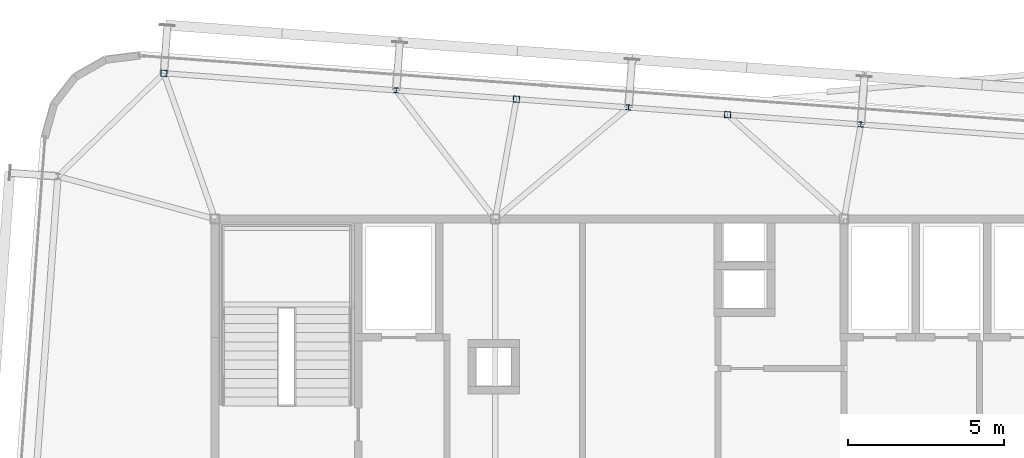
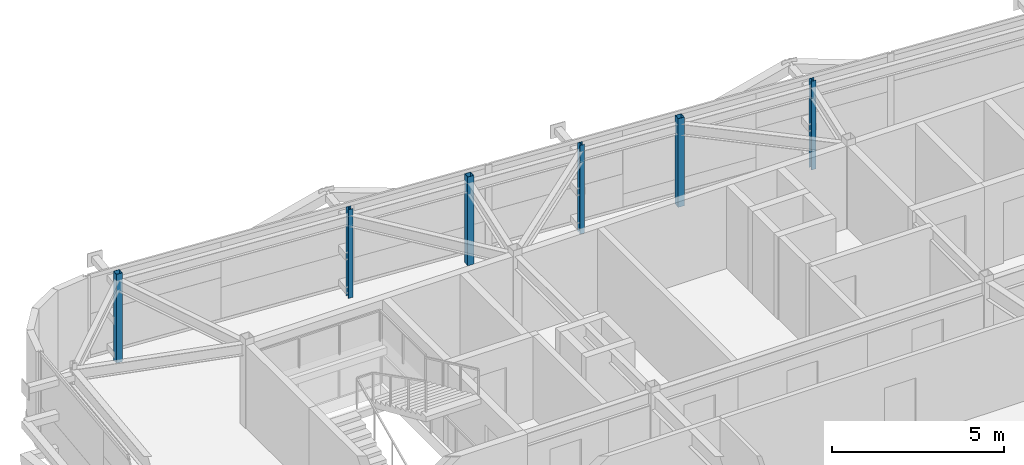
# One storey, part 7 of 37: 6 columns.
"""IFC4 building model written with IfcOpenShell, lengths in metres."""

from ifc_helpers import new_model, si_unit, direction, frame, origin, origin_2d, place, context, subcontext, project, spatial, hollow_rectangle, i_section, extrude, source, transform, mapped, material, material_profile, profile_set, type_object, element, save


model = new_model("IFC4")

# Units and contexts
model_context = context("Model", 3, precision=1e-05, world=origin(), true_north=direction((0.0, 1.0)))
body_context = subcontext(model_context, "Body", "Model", "MODEL_VIEW")
ifc_project = project(units=[si_unit("LENGTHUNIT", "METRE"), si_unit("AREAUNIT", "SQUARE_METRE"), si_unit("VOLUMEUNIT", "CUBIC_METRE"), si_unit("PLANEANGLEUNIT", "RADIAN"), si_unit("MASSUNIT", "GRAM", prefix="KILO")], contexts=[model_context])

# Site, building, storey
site_placement = place(None, origin())
site = spatial("IfcSite", under=ifc_project, at=site_placement, CompositionType="ELEMENT")
building_placement = place(site_placement, origin())
building = spatial("IfcBuilding", under=site, at=building_placement, Name="Taldren Reach Tower", CompositionType="ELEMENT")
storey_placement = place(building_placement, frame((0.0, 0.0, 211.39990234375)))
storey = spatial("IfcBuildingStorey", under=building, at=storey_placement, Name="L64", CompositionType="ELEMENT", Elevation=211.39990234375)

# Columns
ifc_material_1 = material(Name="Steel Gr 350 (C350L0)", Category="steel")
ifc_material_profile_1 = material_profile(ifc_material_1, hollow_rectangle(XDim=0.199951171875, YDim=0.199951171875, WallThickness=0.009033203125, at=origin_2d()), Name="200x200x9.0SHS")
ifc_profile_set_1 = profile_set([ifc_material_profile_1], Name="Steel Gr 350 (C350L0)")
column_type_1 = type_object("IfcColumnType", Name="COL-SHS200", PredefinedType="COLUMN", material=ifc_profile_set_1)
shared_shape_1 = source(origin(), body_context, "Body", "SweptSolid", [
    extrude(hollow_rectangle(XDim=0.199951171875, YDim=0.199951171875, WallThickness=0.009033203125, at=origin_2d()), origin(), (0.0, 0.0, 1.0), 3.150146484375),
])
for number, where, z_axis, x_axis, name in (
    (1, (17.35986328125, 36.678955078125, 0.0), (0.0, 0.0, 1.0), (0.997314477224, -0.073238197128, 0.0), "Block B5 perimeter column N1 L64"),
    (2, (28.67919921875, 35.84765625, 0.0), (0.0, 0.0, 1.0), (0.997314477224, -0.073238197128, 0.0), "Block B5 perimeter column PJN1 L64"),
    (3, (35.4609375, 35.349609375, 0.0), (0.0, 0.0, 1.0), (0.997314477224, -0.073238197128, 0.0), "Block B5 perimeter column PJN2 L64"),
):
    element("IfcColumn", number, at=place(storey_placement, frame(where, z_axis=z_axis, x_axis=x_axis)), inside=storey, type_object=column_type_1, Name=name, PredefinedType="COLUMN", context=body_context, shape_type="MappedRepresentation", body=[
        mapped(shared_shape_1, transform((0.0, 0.0, 0.0), scale=1.0)),
    ])
ifc_material_2 = material(Name="Steel Gr 350 (350PLUS)", Category="steel")
ifc_material_profile_2 = material_profile(ifc_material_2, i_section(OverallWidth=0.154052734375, OverallDepth=0.162109375, WebThickness=0.008056640625, FlangeThickness=0.011474609375, at=origin_2d()), Name="150UC37.2")
ifc_profile_set_2 = profile_set([ifc_material_profile_2], Name="Steel Gr 350 (350PLUS)")
column_type_2 = type_object("IfcColumnType", Name="COL-UC150", PredefinedType="COLUMN", material=ifc_profile_set_2)
shared_shape_2 = source(origin(), body_context, "Body", "SweptSolid", [
    extrude(i_section(OverallWidth=0.154052734375, OverallDepth=0.162109375, WebThickness=0.008056640625, FlangeThickness=0.011474609375, at=origin_2d()), origin(), (0.0, 0.0, 1.0), 3.150146484375),
])
for number, where, z_axis, x_axis, name in (
    (4, (24.819580078125, 36.131103515625, 0.0), (0.0, 0.0, 1.0), (0.997314477224, -0.073238197128, 0.0), "Block B5 perimeter column N2 L64"),
    (5, (32.279541015625, 35.583251953125, 0.0), (0.0, 0.0, 1.0), (0.997314477224, -0.073238197128, 0.0), "Block B5 perimeter column N3 L64"),
    (6, (39.739501953125, 35.035400390625, 0.0), (0.0, 0.0, 1.0), (0.997314477224, -0.073238197128, 0.0), "Block B5 perimeter column N4 L64"),
):
    element("IfcColumn", number, at=place(storey_placement, frame(where, z_axis=z_axis, x_axis=x_axis)), inside=storey, type_object=column_type_2, Name=name, PredefinedType="COLUMN", context=body_context, shape_type="MappedRepresentation", body=[
        mapped(shared_shape_2, transform((0.0, 0.0, 0.0), scale=1.0)),
    ])

save(model, "model.ifc")
